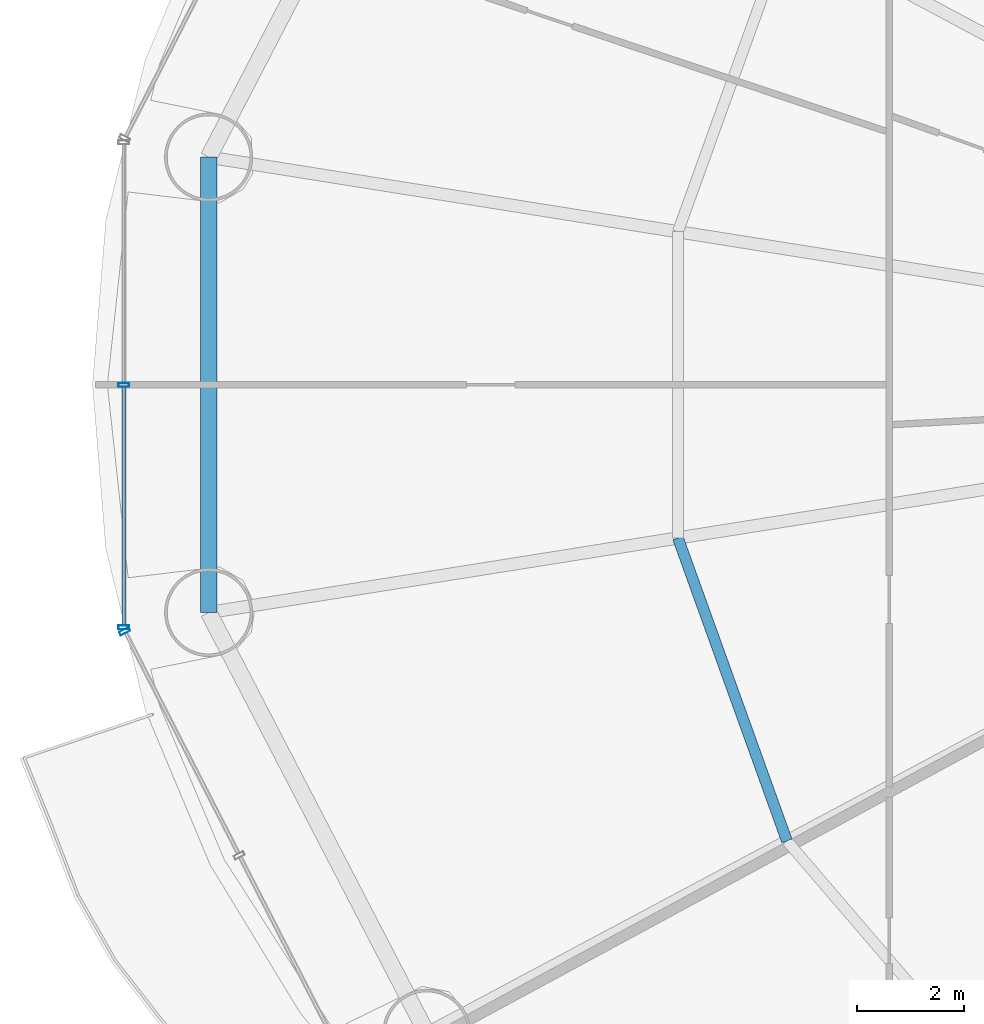
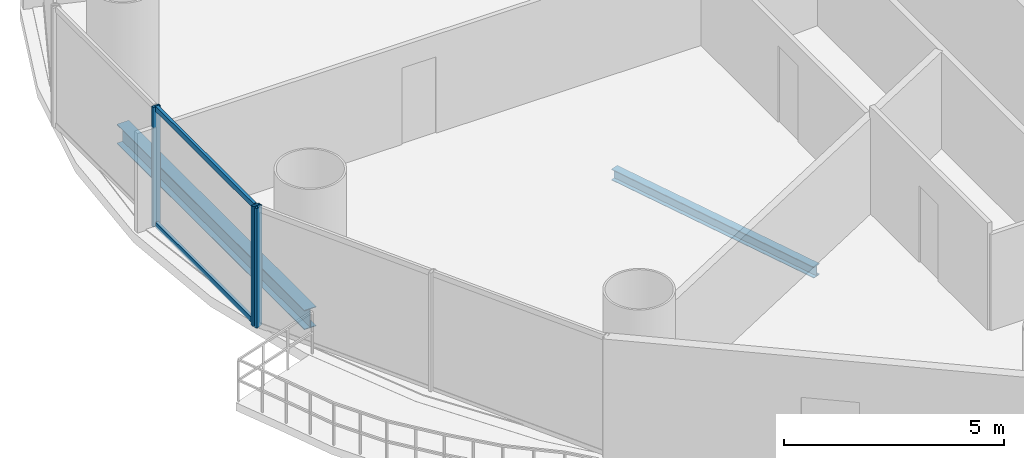
# One storey, part 7 of 30: 5 members, 2 beams, 2 elements without a shape of their own.
"""IFC4 building model written with IfcOpenShell, lengths in metres."""

from ifc_helpers import new_model, si_unit, direction, frame, origin, origin_2d, place, context, subcontext, project, spatial, hollow_rectangle, i_section, extrude, source, transform, mapped, material, material_profile, profile_set, type_object, element, aggregate, save


model = new_model("IFC4")

# Units and contexts
model_context = context("Model", 3, precision=1e-05, world=origin(), true_north=direction((-0.2419218956, 0.970295726276)))
body_context = subcontext(model_context, "Body", "Model", "MODEL_VIEW")
ifc_project = project(units=[si_unit("LENGTHUNIT", "METRE"), si_unit("AREAUNIT", "SQUARE_METRE"), si_unit("VOLUMEUNIT", "CUBIC_METRE"), si_unit("PLANEANGLEUNIT", "RADIAN"), si_unit("MASSUNIT", "GRAM", prefix="KILO")], contexts=[model_context])

# Site, building, storey
site_placement = place(None, origin())
site = spatial("IfcSite", under=ifc_project, at=site_placement, CompositionType="ELEMENT")
building_placement = place(site_placement, origin())
building = spatial("IfcBuilding", under=site, at=building_placement, Name="Cobrevalo Terracotta Tower", CompositionType="ELEMENT")
storey_placement = place(building_placement, frame((0.0, 0.0, 63.60009765625)))
storey = spatial("IfcBuildingStorey", under=building, at=storey_placement, Name="L16", CompositionType="ELEMENT", Elevation=63.60009765625)

# Beams
ifc_material_1 = material(Name="Steel S355", Category="steel")
ifc_material_profile_1 = material_profile(ifc_material_1, i_section(OverallWidth=0.2041015625, OverallDepth=0.305908203125, WebThickness=0.008544921875, FlangeThickness=0.0146484375, at=origin_2d()), Name="W 310x67")
ifc_profile_set_1 = profile_set([ifc_material_profile_1], Name="Steel S355")
beam_type_1 = type_object("IfcBeamType", Name="Structural Joist W 310x67 (Steel S355)", PredefinedType="JOIST", material=ifc_profile_set_1)
beam_1_placement = place(storey_placement, frame((19.960205078125, 23.933349609375, -0.43310546875), z_axis=(0.338672151116, -0.940904444701, 0.0), x_axis=(0.940904444701, 0.338672151116, 0.0)))
element("IfcBeam", 1, at=beam_1_placement, inside=storey, type_object=beam_type_1, Name="L16 circumferential secondary floor joist 09", PredefinedType="JOIST", context=body_context, shape_type="SweptSolid", body=[
    extrude(i_section(OverallWidth=0.2041015625, OverallDepth=0.305908203125, WebThickness=0.008544921875, FlangeThickness=0.0146484375, at=origin_2d()), origin(), (0.0, 0.0, 1.0), 6.029296875),
])
ifc_material_profile_2 = material_profile(ifc_material_1, i_section(OverallWidth=0.31201171875, OverallDepth=0.54296875, WebThickness=0.0126953125, FlangeThickness=0.020263671875, at=origin_2d()), Name="W 530x150")
ifc_profile_set_2 = profile_set([ifc_material_profile_2], Name="Steel S355")
beam_type_2 = type_object("IfcBeamType", Name="Structural Spandrel W 530x150 (Steel S355)", PredefinedType="SPANDREL", material=ifc_profile_set_2)
beam_2_placement = place(storey_placement, frame((11.175537109375, 31.062744140625, -0.551513671875), z_axis=(0.0, -1.0, 0.0), x_axis=(1.0, 0.0, 0.0)))
element("IfcBeam", 2, at=beam_2_placement, inside=storey, type_object=beam_type_2, Name="L16 perimeter ring spandrel 08", PredefinedType="SPANDREL", context=body_context, shape_type="SweptSolid", body=[
    extrude(i_section(OverallWidth=0.31201171875, OverallDepth=0.54296875, WebThickness=0.0126953125, FlangeThickness=0.020263671875, at=origin_2d()), origin(), (0.0, 0.0, 1.0), 8.525390625),
])

# Curtain wall, members
ifc_material_2 = material(Name="Anodized aluminium", Category="aluminium")
curtain_wall_type = type_object("IfcCurtainWallType", Name="Lower-tower unitised acoustic low-E curtain wall CW-U1", PredefinedType="NOTDEFINED", material=ifc_material_2)
curtain_wall_1_placement = place(storey_placement, origin())
curtain_wall_1 = element("IfcCurtainWall", 3, at=curtain_wall_1_placement, inside=storey, type_object=curtain_wall_type, Name="L16 curtain wall CW-L16-S08", PredefinedType="NOTDEFINED")
ifc_material_profile_3 = material_profile(ifc_material_2, hollow_rectangle(XDim=0.074951171875, YDim=0.14990234375, WallThickness=0.00439453125, at=origin_2d()), Name="CWT 75x150")
ifc_profile_set_3 = profile_set([ifc_material_profile_3], Name="Anodized aluminium")
member_type_1 = type_object("IfcMemberType", Name="Tower unitised aluminium transom 75x150", PredefinedType="USERDEFINED", material=ifc_profile_set_3)
shared_shape_1 = source(origin(), body_context, "Body", "SweptSolid", [
    extrude(hollow_rectangle(XDim=0.074951171875, YDim=0.14990234375, WallThickness=0.00439453125, at=origin_2d()), origin(), (0.0, 0.0, 1.0), 4.458740234375),
])
member_1_placement = place(storey_placement, frame((9.586669921875, 26.760009765625, 0.0498046875), z_axis=(0.0, -1.0, 0.0), x_axis=(1.0, 0.0, 0.0)))
member_1 = element("IfcMember", 4, at=member_1_placement, type_object=member_type_1, Name="CW-L16-S08 transom B02-T1", ObjectType="TRANSOM", PredefinedType="USERDEFINED", context=body_context, shape_type="MappedRepresentation", body=[
    mapped(shared_shape_1, transform((0.0, 0.0, 0.0), scale=1.0)),
])
member_2_placement = place(storey_placement, frame((9.586669921875, 26.760009765625, 3.27001953125), z_axis=(0.0, -1.0, 0.0), x_axis=(1.0, 0.0, 0.0)))
member_2 = element("IfcMember", 5, at=member_2_placement, type_object=member_type_1, Name="CW-L16-S08 transom B02-T2", ObjectType="TRANSOM", PredefinedType="USERDEFINED", context=body_context, shape_type="MappedRepresentation", body=[
    mapped(shared_shape_1, transform((0.0, 0.0, 0.0), scale=1.0)),
])
ifc_material_profile_4 = material_profile(ifc_material_2, hollow_rectangle(XDim=0.074951171875, YDim=0.199951171875, WallThickness=0.0048828125, at=origin_2d()), Name="CWM 75x200")
ifc_profile_set_4 = profile_set([ifc_material_profile_4], Name="Anodized aluminium")
member_type_2 = type_object("IfcMemberType", Name="Lower/mid tower unitised mullion 75x200", PredefinedType="MULLION", material=ifc_profile_set_4)
shared_shape_2 = source(origin(), body_context, "Body", "SweptSolid", [
    extrude(hollow_rectangle(XDim=0.074951171875, YDim=0.199951171875, WallThickness=0.0048828125, at=origin_2d()), origin(), (0.0, 0.0, 1.0), 3.31982421875),
])
member_3_placement = place(storey_placement, frame((9.586669921875, 26.800048828125, 0.0), z_axis=(0.0, 0.0, 1.0), x_axis=(0.0, -1.0, 0.0)))
member_3 = element("IfcMember", 6, at=member_3_placement, type_object=member_type_2, Name="CW-L16-S08 vertical mullion 02", PredefinedType="MULLION", context=body_context, shape_type="MappedRepresentation", body=[
    mapped(shared_shape_2, transform((0.0, 0.0, 0.0), scale=1.0)),
])
member_4_placement = place(storey_placement, frame((9.586669921875, 22.26123046875, 0.0), z_axis=(0.0, 0.0, 1.0), x_axis=(0.0, -1.0, 0.0)))
member_4 = element("IfcMember", 7, at=member_4_placement, type_object=member_type_2, Name="CW-L16-S08 vertical mullion 03", PredefinedType="MULLION", context=body_context, shape_type="MappedRepresentation", body=[
    mapped(shared_shape_2, transform((0.0, 0.0, 0.0), scale=1.0)),
])
aggregate(curtain_wall_1, [member_3, member_4, member_1, member_2])

# Curtain wall, member
curtain_wall_2_placement = place(storey_placement, origin())
curtain_wall_2 = element("IfcCurtainWall", 8, at=curtain_wall_2_placement, inside=storey, type_object=curtain_wall_type, Name="L16 curtain wall CW-L16-S09", PredefinedType="NOTDEFINED")
member_5_placement = place(storey_placement, frame((9.60498046875, 22.185546875, 0.0), z_axis=(0.0, 0.0, 1.0), x_axis=(0.455234136597, -0.890371765543, 0.0)))
member_5 = element("IfcMember", 9, at=member_5_placement, type_object=member_type_2, Name="CW-L16-S09 vertical mullion 01", PredefinedType="MULLION", context=body_context, shape_type="MappedRepresentation", body=[
    mapped(shared_shape_2, transform((0.0, 0.0, 0.0), scale=1.0)),
])
aggregate(curtain_wall_2, [member_5])

save(model, "model.ifc")
